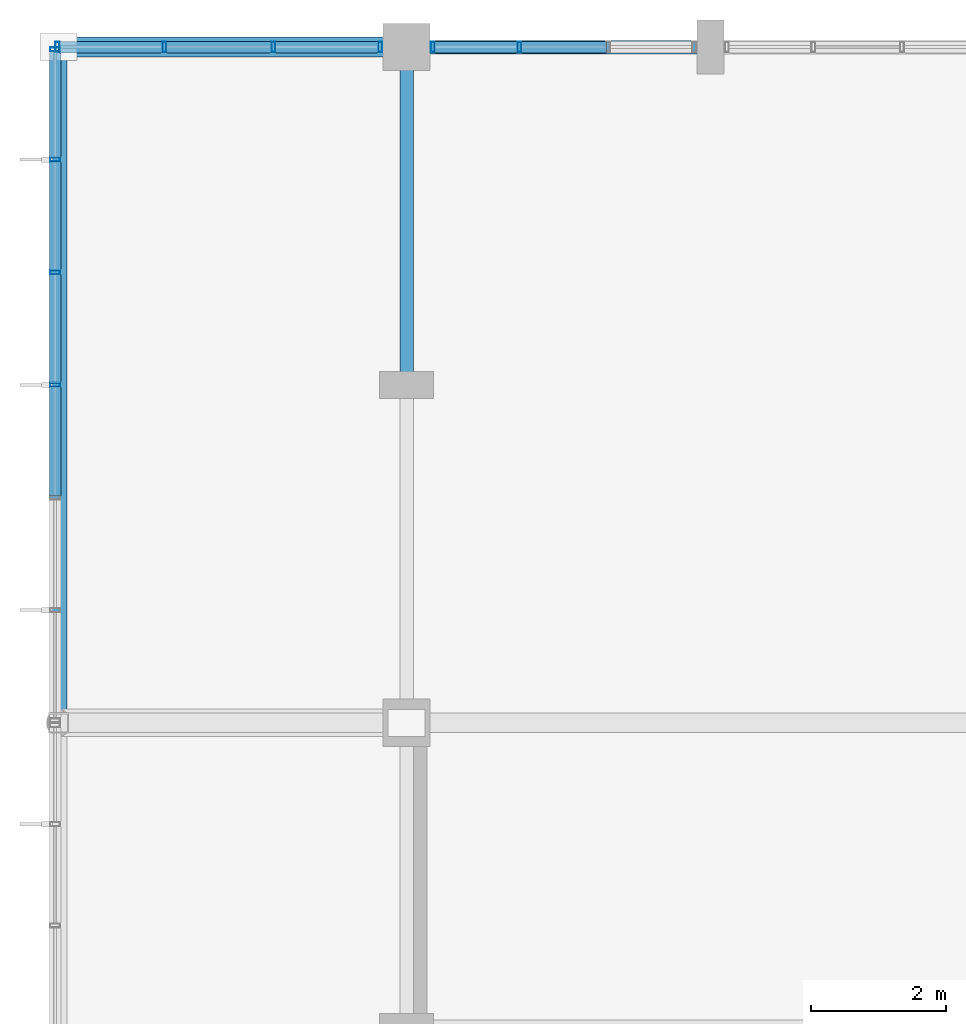
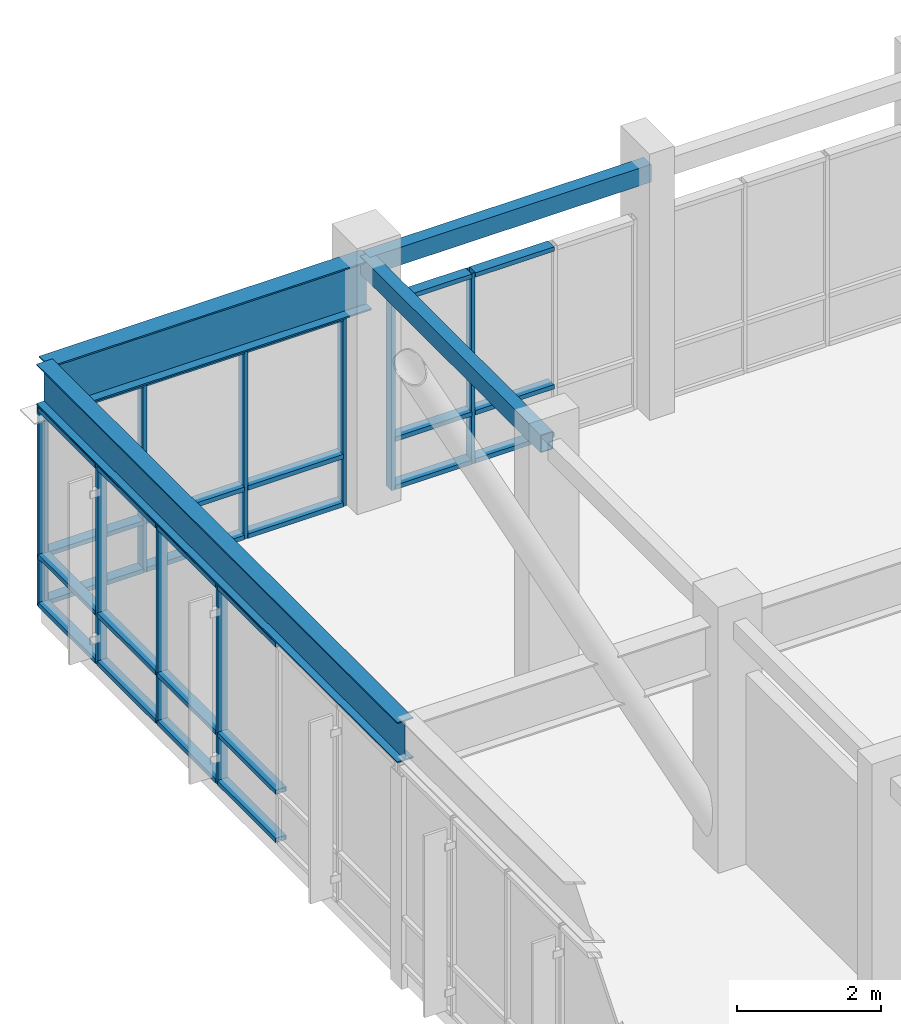
# One storey, part 29 of 55: 37 members, 4 beams, 3 elements without a shape of their own.
"""IFC4 building model written with IfcOpenShell, lengths in metres."""

from ifc_helpers import new_model, si_unit, direction, frame, origin, origin_2d, place, context, subcontext, project, spatial, hollow_rectangle, i_section, extrude, material, layer, layer_set, material_profile, profile_set, type_object, element, aggregate, save


model = new_model("IFC4")

# Units and contexts
model_context = context("Model", 3, precision=1e-05, world=origin(), true_north=direction((0.0, 1.0)))
body_context = subcontext(model_context, "Body", "Model", "MODEL_VIEW")
ifc_project = project(units=[si_unit("LENGTHUNIT", "METRE"), si_unit("AREAUNIT", "SQUARE_METRE"), si_unit("VOLUMEUNIT", "CUBIC_METRE"), si_unit("PLANEANGLEUNIT", "RADIAN"), si_unit("MASSUNIT", "GRAM", prefix="KILO")], contexts=[model_context])

# Site, building, storey
site_placement = place(None, origin())
site = spatial("IfcSite", under=ifc_project, at=site_placement, CompositionType="ELEMENT")
building_placement = place(site_placement, origin())
building = spatial("IfcBuilding", under=site, at=building_placement, Name="Ventoquebrada Cableway Terminal", CompositionType="ELEMENT")
storey_placement = place(building_placement, frame((0.0, 0.0, 14.39990234375)))
storey = spatial("IfcBuildingStorey", under=building, at=storey_placement, Name="L03", CompositionType="ELEMENT", Elevation=14.39990234375)

# Beams
ifc_material_1 = material(Name="Steel ASTM A992 Grade 50", Category="steel")
ifc_material_profile_1 = material_profile(ifc_material_1, i_section(OverallWidth=0.25390625, OverallDepth=0.68798828125, WebThickness=0.01318359375, FlangeThickness=0.02099609375, at=origin_2d()), Name="W27X102")
ifc_profile_set_1 = profile_set([ifc_material_profile_1], Name="Steel ASTM A992 Grade 50")
beam_type_1 = type_object("IfcBeamType", Name="BM-ST04", PredefinedType="BEAM", material=ifc_profile_set_1)
beam_1_placement = place(storey_placement, frame((3.050048828125, 104.0, 3.72119140625), z_axis=(0.0, 1.0, 0.0), x_axis=(-1.0, 0.0, 0.0)))
element("IfcBeam", 1, at=beam_1_placement, inside=storey, type_object=beam_type_1, Name="Cantilever edge girder CB-018", PredefinedType="BEAM", context=body_context, shape_type="SweptSolid", body=[
    extrude(i_section(OverallWidth=0.25390625, OverallDepth=0.68798828125, WebThickness=0.01318359375, FlangeThickness=0.02099609375, at=origin_2d()), origin(), (0.0, 0.0, 1.0), 10.0),
])
ifc_material_profile_2 = material_profile(ifc_material_1, i_section(OverallWidth=0.2919921875, OverallDepth=0.845947265625, WebThickness=0.015380859375, FlangeThickness=0.0244140625, at=origin_2d()), Name="W33X141")
ifc_profile_set_2 = profile_set([ifc_material_profile_2], Name="Steel ASTM A992 Grade 50")
beam_type_2 = type_object("IfcBeamType", Name="BM-ST06", PredefinedType="BEAM", material=ifc_profile_set_2)
beam_2_placement = place(storey_placement, frame((3.050048828125, 114.0, 3.64208984375), z_axis=(1.0, 0.0, 0.0), x_axis=(0.0, 1.0, 0.0)))
element("IfcBeam", 2, at=beam_2_placement, inside=storey, type_object=beam_type_2, Name="Cantilever belvedere girder CB-014", PredefinedType="BEAM", context=body_context, shape_type="SweptSolid", body=[
    extrude(i_section(OverallWidth=0.2919921875, OverallDepth=0.845947265625, WebThickness=0.015380859375, FlangeThickness=0.0244140625, at=origin_2d()), origin(), (0.0, 0.0, 1.0), 5.14990234375),
])

# Curtain wall, members
ifc_material_2 = material(Name="Anodized thermally-broken aluminium", Category="aluminium")
ifc_layer_1 = layer(ifc_material_2, 0.159912109375)
ifc_layer_set_1 = layer_set([ifc_layer_1], Name="Anodized thermally-broken aluminium")
curtain_wall_type_1 = type_object("IfcCurtainWallType", Name="CW-T20", PredefinedType="USERDEFINED", material=ifc_layer_set_1)
curtain_wall_1_placement = place(storey_placement, origin())
curtain_wall_1 = element("IfcCurtainWall", 3, at=curtain_wall_1_placement, inside=storey, type_object=curtain_wall_type_1, Name="Unitised glazed curtain wall CW-051", ObjectType="UNITISED CURTAIN WALL", PredefinedType="USERDEFINED")
ifc_material_profile_3 = material_profile(ifc_material_2, hollow_rectangle(XDim=0.06005859375, YDim=0.14990234375, WallThickness=0.00390625, at=origin_2d()), Name="CW-MUL-60X150")
ifc_profile_set_3 = profile_set([ifc_material_profile_3], Name="Anodized thermally-broken aluminium")
member_type_1 = type_object("IfcMemberType", Name="CWM-03", PredefinedType="MULLION", material=ifc_profile_set_3)
member_1_placement = place(storey_placement, frame((7.81005859375, 114.0, -0.0078125), z_axis=(0.0, 0.0, 1.0), x_axis=(-1.0, 0.0, 0.0)))
member_1 = element("IfcMember", 4, at=member_1_placement, type_object=member_type_1, Name="Curtain wall mullion FML-0228", PredefinedType="MULLION", context=body_context, shape_type="SweptSolid", body=[
    extrude(hollow_rectangle(XDim=0.06005859375, YDim=0.14990234375, WallThickness=0.00390625, at=origin_2d()), origin(), (0.0, 0.0, 1.0), 3.226806640625),
])
member_2_placement = place(storey_placement, frame((6.22998046875, 114.0, -0.0078125), z_axis=(0.0, 0.0, 1.0), x_axis=(-1.0, 0.0, 0.0)))
member_2 = element("IfcMember", 5, at=member_2_placement, type_object=member_type_1, Name="Curtain wall mullion FML-0229", PredefinedType="MULLION", context=body_context, shape_type="SweptSolid", body=[
    extrude(hollow_rectangle(XDim=0.06005859375, YDim=0.14990234375, WallThickness=0.00390625, at=origin_2d()), origin(), (0.0, 0.0, 1.0), 3.226806640625),
])
member_3_placement = place(storey_placement, frame((4.614990234375, 114.0, -0.0078125), z_axis=(0.0, 0.0, 1.0), x_axis=(-1.0, 0.0, 0.0)))
member_3 = element("IfcMember", 6, at=member_3_placement, type_object=member_type_1, Name="Curtain wall mullion FML-0230", PredefinedType="MULLION", context=body_context, shape_type="SweptSolid", body=[
    extrude(hollow_rectangle(XDim=0.06005859375, YDim=0.14990234375, WallThickness=0.00390625, at=origin_2d()), origin(), (0.0, 0.0, 1.0), 3.226806640625),
])
member_4_placement = place(storey_placement, frame((3.034912109375, 114.0, -0.0078125), z_axis=(0.0, 0.0, 1.0), x_axis=(-1.0, 0.0, 0.0)))
member_4 = element("IfcMember", 7, at=member_4_placement, type_object=member_type_1, Name="Curtain wall mullion FML-0231", PredefinedType="MULLION", context=body_context, shape_type="SweptSolid", body=[
    extrude(hollow_rectangle(XDim=0.06005859375, YDim=0.14990234375, WallThickness=0.00390625, at=origin_2d()), origin(), (0.0, 0.0, 1.0), 3.226806640625),
])

ifc_layer_2 = layer(ifc_material_2, 0.159912109375)
ifc_layer_set_2 = layer_set([ifc_layer_2], Name="Anodized thermally-broken aluminium")
curtain_wall_type_2 = type_object("IfcCurtainWallType", Name="CW-T21", PredefinedType="USERDEFINED", material=ifc_layer_set_2)
curtain_wall_2_placement = place(storey_placement, origin())
curtain_wall_2 = element("IfcCurtainWall", 8, at=curtain_wall_2_placement, inside=storey, type_object=curtain_wall_type_2, Name="Unitised glazed curtain wall CW-053", ObjectType="UNITISED CURTAIN WALL", PredefinedType="USERDEFINED")
member_5_placement = place(storey_placement, frame((9.867919921875, 114.0, -0.0078125), z_axis=(0.0, 0.0, 1.0), x_axis=(-1.0, 0.0, 0.0)))
member_5 = element("IfcMember", 9, at=member_5_placement, type_object=member_type_1, Name="Curtain wall mullion FML-0238", PredefinedType="MULLION", context=body_context, shape_type="SweptSolid", body=[
    extrude(hollow_rectangle(XDim=0.06005859375, YDim=0.14990234375, WallThickness=0.00390625, at=origin_2d()), origin(), (0.0, 0.0, 1.0), 3.226806640625),
])
member_6_placement = place(storey_placement, frame((8.590087890625, 114.0, -0.0078125), z_axis=(0.0, 0.0, 1.0), x_axis=(-1.0, 0.0, 0.0)))
member_6 = element("IfcMember", 10, at=member_6_placement, type_object=member_type_1, Name="Curtain wall mullion FML-0239", PredefinedType="MULLION", context=body_context, shape_type="SweptSolid", body=[
    extrude(hollow_rectangle(XDim=0.06005859375, YDim=0.14990234375, WallThickness=0.00390625, at=origin_2d()), origin(), (0.0, 0.0, 1.0), 3.226806640625),
])

ifc_layer_3 = layer(ifc_material_2, 0.159912109375)
ifc_layer_set_3 = layer_set([ifc_layer_3], Name="Anodized thermally-broken aluminium")
curtain_wall_type_3 = type_object("IfcCurtainWallType", Name="CW-T24", PredefinedType="USERDEFINED", material=ifc_layer_set_3)
curtain_wall_3_placement = place(storey_placement, origin())
curtain_wall_3 = element("IfcCurtainWall", 11, at=curtain_wall_3_placement, inside=storey, type_object=curtain_wall_type_3, Name="Unitised glazed curtain wall CW-059", ObjectType="UNITISED CURTAIN WALL", PredefinedType="USERDEFINED")
member_7_placement = place(storey_placement, frame((3.0, 113.965087890625, -0.0078125), z_axis=(0.0, 0.0, 1.0), x_axis=(0.0, -1.0, 0.0)))
member_7 = element("IfcMember", 12, at=member_7_placement, type_object=member_type_1, Name="Curtain wall mullion FML-0269", PredefinedType="MULLION", context=body_context, shape_type="SweptSolid", body=[
    extrude(hollow_rectangle(XDim=0.06005859375, YDim=0.14990234375, WallThickness=0.00390625, at=origin_2d()), origin(), (0.0, 0.0, 1.0), 3.385009765625),
])
member_8_placement = place(storey_placement, frame((3.0, 112.3330078125, -0.0078125), z_axis=(0.0, 0.0, 1.0), x_axis=(0.0, -1.0, 0.0)))
member_8 = element("IfcMember", 13, at=member_8_placement, type_object=member_type_1, Name="Curtain wall mullion FML-0270", PredefinedType="MULLION", context=body_context, shape_type="SweptSolid", body=[
    extrude(hollow_rectangle(XDim=0.06005859375, YDim=0.14990234375, WallThickness=0.00390625, at=origin_2d()), origin(), (0.0, 0.0, 1.0), 3.385009765625),
])
member_9_placement = place(storey_placement, frame((3.0, 110.6669921875, -0.0078125), z_axis=(0.0, 0.0, 1.0), x_axis=(0.0, -1.0, 0.0)))
member_9 = element("IfcMember", 14, at=member_9_placement, type_object=member_type_1, Name="Curtain wall mullion FML-0271", PredefinedType="MULLION", context=body_context, shape_type="SweptSolid", body=[
    extrude(hollow_rectangle(XDim=0.06005859375, YDim=0.14990234375, WallThickness=0.00390625, at=origin_2d()), origin(), (0.0, 0.0, 1.0), 3.385009765625),
])
member_10_placement = place(storey_placement, frame((3.0, 109.0, -0.0078125), z_axis=(0.0, 0.0, 1.0), x_axis=(0.0, -1.0, 0.0)))
member_10 = element("IfcMember", 15, at=member_10_placement, type_object=member_type_1, Name="Curtain wall mullion FML-0272", PredefinedType="MULLION", context=body_context, shape_type="SweptSolid", body=[
    extrude(hollow_rectangle(XDim=0.06005859375, YDim=0.14990234375, WallThickness=0.00390625, at=origin_2d()), origin(), (0.0, 0.0, 1.0), 3.385009765625),
])

# Member
ifc_material_profile_4 = material_profile(ifc_material_2, hollow_rectangle(XDim=0.074951171875, YDim=0.169921875, WallThickness=0.00439453125, at=origin_2d()), Name="CW-TRN-75X170")
ifc_profile_set_4 = profile_set([ifc_material_profile_4], Name="Anodized thermally-broken aluminium")
member_type_2 = type_object("IfcMemberType", Name="CWT-03", PredefinedType="USERDEFINED", material=ifc_profile_set_4)
member_11_placement = place(storey_placement, frame((7.784912109375, 114.0, 0.03515625), z_axis=(-1.0, 0.0, 0.0), x_axis=(0.0, 0.0, 1.0)))
member_11 = element("IfcMember", 16, at=member_11_placement, type_object=member_type_2, Name="Curtain wall transom FTR-0687", ObjectType="TRANSOM", PredefinedType="USERDEFINED", context=body_context, shape_type="SweptSolid", body=[
    extrude(hollow_rectangle(XDim=0.074951171875, YDim=0.169921875, WallThickness=0.00439453125, at=origin_2d()), origin(), (0.0, 0.0, 1.0), 1.530029296875),
])

member_12_placement = place(storey_placement, frame((7.784912109375, 114.0, 0.85009765625), z_axis=(-1.0, 0.0, 0.0), x_axis=(0.0, 0.0, 1.0)))
member_12 = element("IfcMember", 17, at=member_12_placement, type_object=member_type_2, Name="Curtain wall transom FTR-0688", ObjectType="TRANSOM", PredefinedType="USERDEFINED", context=body_context, shape_type="SweptSolid", body=[
    extrude(hollow_rectangle(XDim=0.074951171875, YDim=0.169921875, WallThickness=0.00439453125, at=origin_2d()), origin(), (0.0, 0.0, 1.0), 1.530029296875),
])

member_13_placement = place(storey_placement, frame((7.784912109375, 114.0, 3.17919921875), z_axis=(-1.0, 0.0, 0.0), x_axis=(0.0, 0.0, 1.0)))
member_13 = element("IfcMember", 18, at=member_13_placement, type_object=member_type_2, Name="Curtain wall transom FTR-0689", ObjectType="TRANSOM", PredefinedType="USERDEFINED", context=body_context, shape_type="SweptSolid", body=[
    extrude(hollow_rectangle(XDim=0.074951171875, YDim=0.169921875, WallThickness=0.00439453125, at=origin_2d()), origin(), (0.0, 0.0, 1.0), 1.530029296875),
])

member_14_placement = place(storey_placement, frame((6.205078125, 114.0, 0.03515625), z_axis=(-1.0, 0.0, 0.0), x_axis=(0.0, 0.0, 1.0)))
member_14 = element("IfcMember", 19, at=member_14_placement, type_object=member_type_2, Name="Curtain wall transom FTR-0690", ObjectType="TRANSOM", PredefinedType="USERDEFINED", context=body_context, shape_type="SweptSolid", body=[
    extrude(hollow_rectangle(XDim=0.074951171875, YDim=0.169921875, WallThickness=0.00439453125, at=origin_2d()), origin(), (0.0, 0.0, 1.0), 1.565185546875),
])

member_15_placement = place(storey_placement, frame((6.205078125, 114.0, 0.85009765625), z_axis=(-1.0, 0.0, 0.0), x_axis=(0.0, 0.0, 1.0)))
member_15 = element("IfcMember", 20, at=member_15_placement, type_object=member_type_2, Name="Curtain wall transom FTR-0691", ObjectType="TRANSOM", PredefinedType="USERDEFINED", context=body_context, shape_type="SweptSolid", body=[
    extrude(hollow_rectangle(XDim=0.074951171875, YDim=0.169921875, WallThickness=0.00439453125, at=origin_2d()), origin(), (0.0, 0.0, 1.0), 1.565185546875),
])

member_16_placement = place(storey_placement, frame((6.205078125, 114.0, 3.17919921875), z_axis=(-1.0, 0.0, 0.0), x_axis=(0.0, 0.0, 1.0)))
member_16 = element("IfcMember", 21, at=member_16_placement, type_object=member_type_2, Name="Curtain wall transom FTR-0692", ObjectType="TRANSOM", PredefinedType="USERDEFINED", context=body_context, shape_type="SweptSolid", body=[
    extrude(hollow_rectangle(XDim=0.074951171875, YDim=0.169921875, WallThickness=0.00439453125, at=origin_2d()), origin(), (0.0, 0.0, 1.0), 1.565185546875),
])

member_17_placement = place(storey_placement, frame((4.590087890625, 114.0, 0.03515625), z_axis=(-1.0, 0.0, 0.0), x_axis=(0.0, 0.0, 1.0)))
member_17 = element("IfcMember", 22, at=member_17_placement, type_object=member_type_2, Name="Curtain wall transom FTR-0693", ObjectType="TRANSOM", PredefinedType="USERDEFINED", context=body_context, shape_type="SweptSolid", body=[
    extrude(hollow_rectangle(XDim=0.074951171875, YDim=0.169921875, WallThickness=0.00439453125, at=origin_2d()), origin(), (0.0, 0.0, 1.0), 1.530029296875),
])

member_18_placement = place(storey_placement, frame((4.590087890625, 114.0, 0.85009765625), z_axis=(-1.0, 0.0, 0.0), x_axis=(0.0, 0.0, 1.0)))
member_18 = element("IfcMember", 23, at=member_18_placement, type_object=member_type_2, Name="Curtain wall transom FTR-0694", ObjectType="TRANSOM", PredefinedType="USERDEFINED", context=body_context, shape_type="SweptSolid", body=[
    extrude(hollow_rectangle(XDim=0.074951171875, YDim=0.169921875, WallThickness=0.00439453125, at=origin_2d()), origin(), (0.0, 0.0, 1.0), 1.530029296875),
])

member_19_placement = place(storey_placement, frame((4.590087890625, 114.0, 3.17919921875), z_axis=(-1.0, 0.0, 0.0), x_axis=(0.0, 0.0, 1.0)))
member_19 = element("IfcMember", 24, at=member_19_placement, type_object=member_type_2, Name="Curtain wall transom FTR-0695", ObjectType="TRANSOM", PredefinedType="USERDEFINED", context=body_context, shape_type="SweptSolid", body=[
    extrude(hollow_rectangle(XDim=0.074951171875, YDim=0.169921875, WallThickness=0.00439453125, at=origin_2d()), origin(), (0.0, 0.0, 1.0), 1.530029296875),
])

aggregate(curtain_wall_1, [member_1, member_2, member_3, member_4, member_11, member_12, member_13, member_14, member_15, member_16, member_17, member_18, member_19])

member_20_placement = place(storey_placement, frame((11.156982421875, 114.0, 0.03515625), z_axis=(-1.0, 0.0, 0.0), x_axis=(0.0, 0.0, 1.0)))
member_20 = element("IfcMember", 25, at=member_20_placement, type_object=member_type_2, Name="Curtain wall transom FTR-0708", ObjectType="TRANSOM", PredefinedType="USERDEFINED", context=body_context, shape_type="SweptSolid", body=[
    extrude(hollow_rectangle(XDim=0.074951171875, YDim=0.169921875, WallThickness=0.00439453125, at=origin_2d()), origin(), (0.0, 0.0, 1.0), 1.263916015625),
])

member_21_placement = place(storey_placement, frame((11.156982421875, 114.0, 0.85009765625), z_axis=(-1.0, 0.0, 0.0), x_axis=(0.0, 0.0, 1.0)))
member_21 = element("IfcMember", 26, at=member_21_placement, type_object=member_type_2, Name="Curtain wall transom FTR-0709", ObjectType="TRANSOM", PredefinedType="USERDEFINED", context=body_context, shape_type="SweptSolid", body=[
    extrude(hollow_rectangle(XDim=0.074951171875, YDim=0.169921875, WallThickness=0.00439453125, at=origin_2d()), origin(), (0.0, 0.0, 1.0), 1.263916015625),
])

member_22_placement = place(storey_placement, frame((11.156982421875, 114.0, 3.17919921875), z_axis=(-1.0, 0.0, 0.0), x_axis=(0.0, 0.0, 1.0)))
member_22 = element("IfcMember", 27, at=member_22_placement, type_object=member_type_2, Name="Curtain wall transom FTR-0710", ObjectType="TRANSOM", PredefinedType="USERDEFINED", context=body_context, shape_type="SweptSolid", body=[
    extrude(hollow_rectangle(XDim=0.074951171875, YDim=0.169921875, WallThickness=0.00439453125, at=origin_2d()), origin(), (0.0, 0.0, 1.0), 1.263916015625),
])

member_23_placement = place(storey_placement, frame((9.843017578125, 114.0, 0.03515625), z_axis=(-1.0, 0.0, 0.0), x_axis=(0.0, 0.0, 1.0)))
member_23 = element("IfcMember", 28, at=member_23_placement, type_object=member_type_2, Name="Curtain wall transom FTR-0711", ObjectType="TRANSOM", PredefinedType="USERDEFINED", context=body_context, shape_type="SweptSolid", body=[
    extrude(hollow_rectangle(XDim=0.074951171875, YDim=0.169921875, WallThickness=0.00439453125, at=origin_2d()), origin(), (0.0, 0.0, 1.0), 1.22802734375),
])

member_24_placement = place(storey_placement, frame((9.843017578125, 114.0, 0.85009765625), z_axis=(-1.0, 0.0, 0.0), x_axis=(0.0, 0.0, 1.0)))
member_24 = element("IfcMember", 29, at=member_24_placement, type_object=member_type_2, Name="Curtain wall transom FTR-0712", ObjectType="TRANSOM", PredefinedType="USERDEFINED", context=body_context, shape_type="SweptSolid", body=[
    extrude(hollow_rectangle(XDim=0.074951171875, YDim=0.169921875, WallThickness=0.00439453125, at=origin_2d()), origin(), (0.0, 0.0, 1.0), 1.22802734375),
])

member_25_placement = place(storey_placement, frame((9.843017578125, 114.0, 3.17919921875), z_axis=(-1.0, 0.0, 0.0), x_axis=(0.0, 0.0, 1.0)))
member_25 = element("IfcMember", 30, at=member_25_placement, type_object=member_type_2, Name="Curtain wall transom FTR-0713", ObjectType="TRANSOM", PredefinedType="USERDEFINED", context=body_context, shape_type="SweptSolid", body=[
    extrude(hollow_rectangle(XDim=0.074951171875, YDim=0.169921875, WallThickness=0.00439453125, at=origin_2d()), origin(), (0.0, 0.0, 1.0), 1.22802734375),
])

aggregate(curtain_wall_2, [member_5, member_6, member_20, member_21, member_22, member_23, member_24, member_25])

member_26_placement = place(storey_placement, frame((3.0, 113.93994140625, 0.03515625), z_axis=(0.0, -1.0, 0.0), x_axis=(0.0, 0.0, 1.0)))
member_26 = element("IfcMember", 31, at=member_26_placement, type_object=member_type_2, Name="Curtain wall transom FTR-0792", ObjectType="TRANSOM", PredefinedType="USERDEFINED", context=body_context, shape_type="SweptSolid", body=[
    extrude(hollow_rectangle(XDim=0.074951171875, YDim=0.169921875, WallThickness=0.00439453125, at=origin_2d()), origin(), (0.0, 0.0, 1.0), 1.58203125),
])

member_27_placement = place(storey_placement, frame((3.0, 113.93994140625, 0.85009765625), z_axis=(0.0, -1.0, 0.0), x_axis=(0.0, 0.0, 1.0)))
member_27 = element("IfcMember", 32, at=member_27_placement, type_object=member_type_2, Name="Curtain wall transom FTR-0793", ObjectType="TRANSOM", PredefinedType="USERDEFINED", context=body_context, shape_type="SweptSolid", body=[
    extrude(hollow_rectangle(XDim=0.074951171875, YDim=0.169921875, WallThickness=0.00439453125, at=origin_2d()), origin(), (0.0, 0.0, 1.0), 1.58203125),
])

member_28_placement = place(storey_placement, frame((3.0, 113.93994140625, 3.337158203125), z_axis=(0.0, -1.0, 0.0), x_axis=(0.0, 0.0, 1.0)))
member_28 = element("IfcMember", 33, at=member_28_placement, type_object=member_type_2, Name="Curtain wall transom FTR-0794", ObjectType="TRANSOM", PredefinedType="USERDEFINED", context=body_context, shape_type="SweptSolid", body=[
    extrude(hollow_rectangle(XDim=0.074951171875, YDim=0.169921875, WallThickness=0.00439453125, at=origin_2d()), origin(), (0.0, 0.0, 1.0), 1.58203125),
])

member_29_placement = place(storey_placement, frame((3.0, 112.30810546875, 0.03515625), z_axis=(0.0, -1.0, 0.0), x_axis=(0.0, 0.0, 1.0)))
member_29 = element("IfcMember", 34, at=member_29_placement, type_object=member_type_2, Name="Curtain wall transom FTR-0795", ObjectType="TRANSOM", PredefinedType="USERDEFINED", context=body_context, shape_type="SweptSolid", body=[
    extrude(hollow_rectangle(XDim=0.074951171875, YDim=0.169921875, WallThickness=0.00439453125, at=origin_2d()), origin(), (0.0, 0.0, 1.0), 1.6162109375),
])

member_30_placement = place(storey_placement, frame((3.0, 112.30810546875, 0.85009765625), z_axis=(0.0, -1.0, 0.0), x_axis=(0.0, 0.0, 1.0)))
member_30 = element("IfcMember", 35, at=member_30_placement, type_object=member_type_2, Name="Curtain wall transom FTR-0796", ObjectType="TRANSOM", PredefinedType="USERDEFINED", context=body_context, shape_type="SweptSolid", body=[
    extrude(hollow_rectangle(XDim=0.074951171875, YDim=0.169921875, WallThickness=0.00439453125, at=origin_2d()), origin(), (0.0, 0.0, 1.0), 1.6162109375),
])

member_31_placement = place(storey_placement, frame((3.0, 112.30810546875, 3.337158203125), z_axis=(0.0, -1.0, 0.0), x_axis=(0.0, 0.0, 1.0)))
member_31 = element("IfcMember", 36, at=member_31_placement, type_object=member_type_2, Name="Curtain wall transom FTR-0797", ObjectType="TRANSOM", PredefinedType="USERDEFINED", context=body_context, shape_type="SweptSolid", body=[
    extrude(hollow_rectangle(XDim=0.074951171875, YDim=0.169921875, WallThickness=0.00439453125, at=origin_2d()), origin(), (0.0, 0.0, 1.0), 1.6162109375),
])

member_32_placement = place(storey_placement, frame((3.0, 110.64208984375, 0.03515625), z_axis=(0.0, -1.0, 0.0), x_axis=(0.0, 0.0, 1.0)))
member_32 = element("IfcMember", 37, at=member_32_placement, type_object=member_type_2, Name="Curtain wall transom FTR-0798", ObjectType="TRANSOM", PredefinedType="USERDEFINED", context=body_context, shape_type="SweptSolid", body=[
    extrude(hollow_rectangle(XDim=0.074951171875, YDim=0.169921875, WallThickness=0.00439453125, at=origin_2d()), origin(), (0.0, 0.0, 1.0), 1.6171875),
])

member_33_placement = place(storey_placement, frame((3.0, 110.64208984375, 0.85009765625), z_axis=(0.0, -1.0, 0.0), x_axis=(0.0, 0.0, 1.0)))
member_33 = element("IfcMember", 38, at=member_33_placement, type_object=member_type_2, Name="Curtain wall transom FTR-0799", ObjectType="TRANSOM", PredefinedType="USERDEFINED", context=body_context, shape_type="SweptSolid", body=[
    extrude(hollow_rectangle(XDim=0.074951171875, YDim=0.169921875, WallThickness=0.00439453125, at=origin_2d()), origin(), (0.0, 0.0, 1.0), 1.6171875),
])

member_34_placement = place(storey_placement, frame((3.0, 110.64208984375, 3.337158203125), z_axis=(0.0, -1.0, 0.0), x_axis=(0.0, 0.0, 1.0)))
member_34 = element("IfcMember", 39, at=member_34_placement, type_object=member_type_2, Name="Curtain wall transom FTR-0800", ObjectType="TRANSOM", PredefinedType="USERDEFINED", context=body_context, shape_type="SweptSolid", body=[
    extrude(hollow_rectangle(XDim=0.074951171875, YDim=0.169921875, WallThickness=0.00439453125, at=origin_2d()), origin(), (0.0, 0.0, 1.0), 1.6171875),
])

member_35_placement = place(storey_placement, frame((3.0, 108.97509765625, 0.03515625), z_axis=(0.0, -1.0, 0.0), x_axis=(0.0, 0.0, 1.0)))
member_35 = element("IfcMember", 40, at=member_35_placement, type_object=member_type_2, Name="Curtain wall transom FTR-0801", ObjectType="TRANSOM", PredefinedType="USERDEFINED", context=body_context, shape_type="SweptSolid", body=[
    extrude(hollow_rectangle(XDim=0.074951171875, YDim=0.169921875, WallThickness=0.00439453125, at=origin_2d()), origin(), (0.0, 0.0, 1.0), 1.6171875),
])

member_36_placement = place(storey_placement, frame((3.0, 108.97509765625, 0.85009765625), z_axis=(0.0, -1.0, 0.0), x_axis=(0.0, 0.0, 1.0)))
member_36 = element("IfcMember", 41, at=member_36_placement, type_object=member_type_2, Name="Curtain wall transom FTR-0802", ObjectType="TRANSOM", PredefinedType="USERDEFINED", context=body_context, shape_type="SweptSolid", body=[
    extrude(hollow_rectangle(XDim=0.074951171875, YDim=0.169921875, WallThickness=0.00439453125, at=origin_2d()), origin(), (0.0, 0.0, 1.0), 1.6171875),
])

member_37_placement = place(storey_placement, frame((3.0, 108.97509765625, 3.337158203125), z_axis=(0.0, -1.0, 0.0), x_axis=(0.0, 0.0, 1.0)))
member_37 = element("IfcMember", 42, at=member_37_placement, type_object=member_type_2, Name="Curtain wall transom FTR-0803", ObjectType="TRANSOM", PredefinedType="USERDEFINED", context=body_context, shape_type="SweptSolid", body=[
    extrude(hollow_rectangle(XDim=0.074951171875, YDim=0.169921875, WallThickness=0.00439453125, at=origin_2d()), origin(), (0.0, 0.0, 1.0), 1.6171875),
])

aggregate(curtain_wall_3, [member_7, member_8, member_9, member_10, member_26, member_27, member_28, member_29, member_30, member_31, member_32, member_33, member_34, member_35, member_36, member_37])

# Beams
ifc_material_3 = material(Name="Steel ASTM A500 Grade C", Category="steel")
ifc_material_profile_5 = material_profile(ifc_material_3, hollow_rectangle(XDim=0.199951171875, YDim=0.300048828125, WallThickness=0.012451171875, at=origin_2d()), Name="RHS300X200X12.5")
ifc_profile_set_5 = profile_set([ifc_material_profile_5], Name="Steel ASTM A500 Grade C")
beam_type_3 = type_object("IfcBeamType", Name="SP-ST02", PredefinedType="SPANDREL", material=ifc_profile_set_5)
beam_3_placement = place(storey_placement, frame((8.199951171875, 114.0, 3.93017578125), z_axis=(1.0, 0.0, 0.0), x_axis=(0.0, 1.0, 0.0)))
element("IfcBeam", 43, at=beam_3_placement, inside=storey, type_object=beam_type_3, Name="Perimeter spandrel beam FBM-0501", PredefinedType="SPANDREL", context=body_context, shape_type="SweptSolid", body=[
    extrude(hollow_rectangle(XDim=0.199951171875, YDim=0.300048828125, WallThickness=0.012451171875, at=origin_2d()), origin(), (0.0, 0.0, 1.0), 4.5),
])
beam_4_placement = place(storey_placement, frame((8.199951171875, 109.0, 3.93017578125), z_axis=(0.0, 1.0, 0.0), x_axis=(-1.0, 0.0, 0.0)))
element("IfcBeam", 44, at=beam_4_placement, inside=storey, type_object=beam_type_3, Name="Perimeter spandrel beam FBM-0514", PredefinedType="SPANDREL", context=body_context, shape_type="SweptSolid", body=[
    extrude(hollow_rectangle(XDim=0.199951171875, YDim=0.300048828125, WallThickness=0.012451171875, at=origin_2d()), origin(), (0.0, 0.0, 1.0), 5.0),
])

save(model, "model.ifc")
